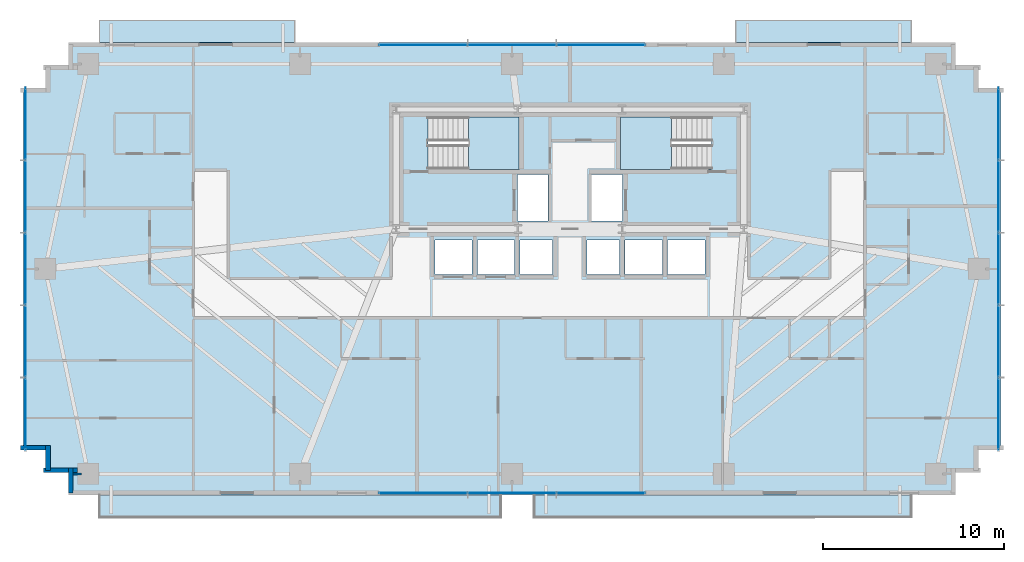
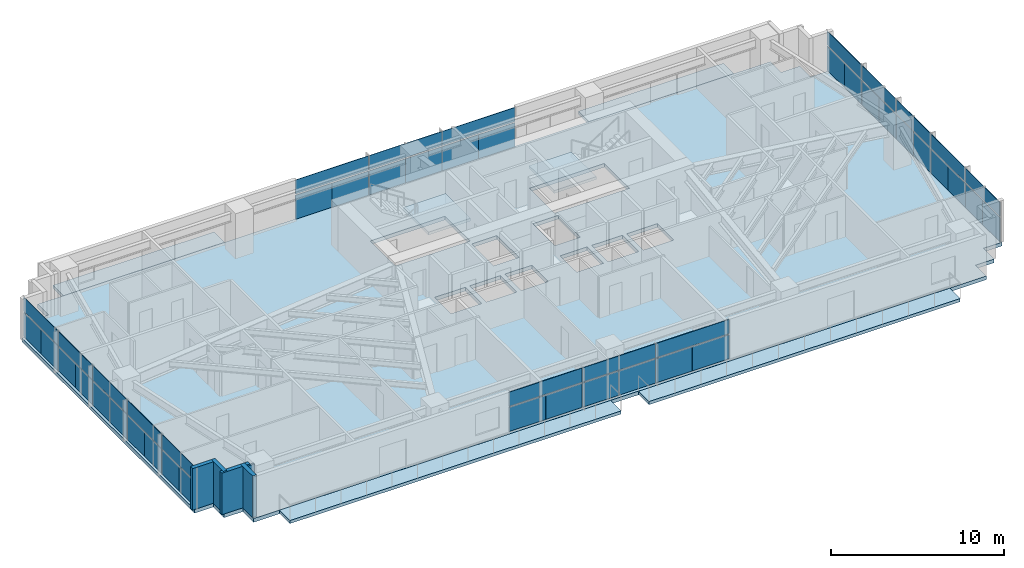
# One storey, part 18 of 25: 48 plates, 7 slabs, 5 walls, 6 elements without a shape of their own.
"""IFC4 building model written with IfcOpenShell, lengths in metres."""

from ifc_helpers import new_model, si_unit, direction, frame, frame_2d, origin, origin_2d, place, context, subcontext, project, spatial, polyline, rectangle, outline, extrude, source, transform, mapped, material, layer, layer_set, type_object, type_shapes, element, aggregate, save


model = new_model("IFC4")

# Units and contexts
model_context = context("Model", 3, precision=1e-05, world=origin(), true_north=direction((0.0, 1.0)))
body_context = subcontext(model_context, "Body", "Model", "MODEL_VIEW")
ifc_project = project(units=[si_unit("LENGTHUNIT", "METRE"), si_unit("AREAUNIT", "SQUARE_METRE"), si_unit("VOLUMEUNIT", "CUBIC_METRE"), si_unit("PLANEANGLEUNIT", "RADIAN"), si_unit("MASSUNIT", "GRAM", prefix="KILO")], contexts=[model_context])

# Site, building, storey
site_placement = place(None, origin())
site = spatial("IfcSite", under=ifc_project, at=site_placement, CompositionType="ELEMENT")
building_placement = place(site_placement, origin())
building = spatial("IfcBuilding", under=site, at=building_placement, Name="Astriad Promenade Condominiums", CompositionType="ELEMENT")
storey_placement = place(building_placement, frame((0.0, 0.0, 61.39990234375)))
storey = spatial("IfcBuildingStorey", under=building, at=storey_placement, Name="L17", CompositionType="ELEMENT", Elevation=61.39990234375)

# Slab
ifc_material_1 = material(Name="Concrete C50/60", Category="concrete")
ifc_layer_1 = layer(ifc_material_1, 0.260009765625)
ifc_layer_set_1 = layer_set([ifc_layer_1], Name="Concrete C50/60")
slab_type_1 = type_object("IfcSlabType", Name="CONCRETE TOWER FLOOR SLAB 260", PredefinedType="FLOOR", material=ifc_layer_set_1)
slab_1_placement = place(storey_placement, frame((0.0, 0.0, -0.260009765625)))
element("IfcSlab", 1, at=slab_1_placement, inside=storey, type_object=slab_type_1, Name="Structural Floor Slab (L17)", PredefinedType="FLOOR", context=body_context, shape_type="SweptSolid", body=[
    extrude(outline(polyline([(8.300048828125, 2.699951171875), (57.300048828125, 2.699951171875), (57.300048828125, 3.949951171875), (58.550048828125, 3.949951171875), (58.550048828125, 5.199951171875), (59.800048828125, 5.199951171875), (59.800048828125, 25.199951171875), (58.550048828125, 25.199951171875), (58.550048828125, 26.449951171875), (57.300048828125, 26.449951171875), (57.300048828125, 27.699951171875), (8.300048828125, 27.699951171875), (8.300048828125, 26.449951171875), (7.050048828125, 26.449951171875), (7.050048828125, 25.199951171875), (5.800048828125, 25.199951171875), (5.800048828125, 5.199951171875), (7.050048828125, 5.199951171875), (7.050048828125, 3.949951171875), (8.300048828125, 3.949951171875), (8.300048828125, 2.699951171875)]), holes=[polyline([(28.175048828125, 20.699951171875), (33.175048828125, 20.699951171875), (33.175048828125, 23.60009765625), (28.175048828125, 23.60009765625), (28.175048828125, 20.699951171875)]), polyline([(38.824951171875, 20.699951171875), (43.824951171875, 20.699951171875), (43.824951171875, 23.60009765625), (38.824951171875, 23.60009765625), (38.824951171875, 20.699951171875)]), polyline([(33.10009765625, 17.85009765625), (34.800048828125, 17.85009765625), (34.800048828125, 20.39990234375), (33.10009765625, 20.39990234375), (33.10009765625, 17.85009765625)]), polyline([(37.199951171875, 17.85009765625), (38.89990234375, 17.85009765625), (38.89990234375, 20.39990234375), (37.199951171875, 20.39990234375), (37.199951171875, 17.85009765625)]), polyline([(28.550048828125, 14.89990234375), (30.60009765625, 14.89990234375), (30.60009765625, 16.800048828125), (28.550048828125, 16.800048828125), (28.550048828125, 14.89990234375)]), polyline([(30.89990234375, 14.89990234375), (32.949951171875, 14.89990234375), (32.949951171875, 16.800048828125), (30.89990234375, 16.800048828125), (30.89990234375, 14.89990234375)]), polyline([(33.25, 14.89990234375), (35.050048828125, 14.89990234375), (35.050048828125, 16.800048828125), (33.25, 16.800048828125), (33.25, 14.89990234375)]), polyline([(36.949951171875, 14.89990234375), (38.75, 14.89990234375), (38.75, 16.800048828125), (36.949951171875, 16.800048828125), (36.949951171875, 14.89990234375)]), polyline([(39.050048828125, 14.89990234375), (41.10009765625, 14.89990234375), (41.10009765625, 16.800048828125), (39.050048828125, 16.800048828125), (39.050048828125, 14.89990234375)]), polyline([(41.39990234375, 14.89990234375), (43.449951171875, 14.89990234375), (43.449951171875, 16.800048828125), (41.39990234375, 16.800048828125), (41.39990234375, 14.89990234375)])]), origin(), (0.0, 0.0, 1.0), 0.260009765625),
])

# Stair, slab
stair_type = type_object("IfcStairType", Name="STR-CORE-1350", PredefinedType="HALF_TURN_STAIR", material=ifc_material_1)
stair_1_placement = place(storey_placement, origin())
stair_1 = element("IfcStair", 2, at=stair_1_placement, inside=storey, type_object=stair_type, Name="L17 Enclosed Core Exit Stair ST-1", PredefinedType="HALF_TURN_STAIR")
ifc_layer_2 = layer(ifc_material_1, 0.219970703125)
ifc_layer_set_2 = layer_set([ifc_layer_2], Name="Concrete C50/60")
slab_type_2 = type_object("IfcSlabType", Name="SLB-LANDING-220", PredefinedType="LANDING", material=ifc_layer_set_2)
slab_2_placement = place(storey_placement, frame((0.0, 0.0, 1.400146484375)))
slab_2 = element("IfcSlab", 3, at=slab_2_placement, type_object=slab_type_2, Name="ST-1 landing 1", PredefinedType="LANDING", context=body_context, shape_type="SweptSolid", body=[
    extrude(outline(polyline([(30.389892578125, 20.699951171875), (33.199951171875, 20.699951171875), (33.199951171875, 23.60009765625), (30.389892578125, 23.60009765625), (30.389892578125, 20.699951171875)])), origin(), (0.0, 0.0, 1.0), 0.199951171875),
])
aggregate(stair_1, [slab_2])

stair_2_placement = place(storey_placement, origin())
stair_2 = element("IfcStair", 4, at=stair_2_placement, inside=storey, type_object=stair_type, Name="L17 Enclosed Core Exit Stair ST-2", PredefinedType="HALF_TURN_STAIR")
slab_3_placement = place(storey_placement, frame((0.0, 0.0, 1.400146484375)))
slab_3 = element("IfcSlab", 5, at=slab_3_placement, type_object=slab_type_2, Name="ST-2 landing 1", PredefinedType="LANDING", context=body_context, shape_type="SweptSolid", body=[
    extrude(outline(polyline([(41.610107421875, 23.60009765625), (38.800048828125, 23.60009765625), (38.800048828125, 20.699951171875), (41.610107421875, 20.699951171875), (41.610107421875, 23.60009765625)])), origin(), (0.0, 0.0, 1.0), 0.199951171875),
])
aggregate(stair_2, [slab_3])

# Slabs
ifc_material_2 = material(Name="Precast concrete C50/60", Category="concrete")
ifc_layer_3 = layer(ifc_material_2, 0.219970703125)
ifc_layer_set_3 = layer_set([ifc_layer_3], Name="Precast concrete C50/60")
slab_type_3 = type_object("IfcSlabType", Name="WHITE PRECAST CONCRETE WAVE BALCONY SLAB 220", PredefinedType="FLOOR", material=ifc_layer_set_3)
slab_4_placement = place(storey_placement, frame((0.0, 0.0, -0.219970703125)))
element("IfcSlab", 6, at=slab_4_placement, inside=storey, type_object=slab_type_3, Name="White Precast Wave Balcony Slab BAL-L17-SW", PredefinedType="FLOOR", context=body_context, shape_type="SweptSolid", body=[
    extrude(outline(polyline([(32.177001953125, 1.47998046875), (10.02197265625, 1.47998046875), (10.02197265625, 2.697998046875), (32.177001953125, 2.697998046875), (32.177001953125, 1.47998046875)])), origin(), (0.0, 0.0, 1.0), 0.219970703125),
])
slab_5_placement = place(storey_placement, frame((0.0, 0.0, -0.219970703125)))
element("IfcSlab", 7, at=slab_5_placement, inside=storey, type_object=slab_type_3, Name="White Precast Wave Balcony Slab BAL-L17-SE", PredefinedType="FLOOR", context=body_context, shape_type="SweptSolid", body=[
    extrude(outline(polyline([(54.85595703125, 1.47998046875), (34.031982421875, 1.47998046875), (34.031982421875, 2.697998046875), (54.85595703125, 2.697998046875), (54.85595703125, 1.47998046875)])), origin(), (0.0, 0.0, 1.0), 0.219970703125),
])
slab_6_placement = place(storey_placement, frame((0.0, 0.0, -0.219970703125)))
element("IfcSlab", 8, at=slab_6_placement, inside=storey, type_object=slab_type_3, Name="White Precast Wave Balcony Slab BAL-L17-NW", PredefinedType="FLOOR", context=body_context, shape_type="SweptSolid", body=[
    extrude(outline(polyline([(10.02197265625, 28.919921875), (20.800048828125, 28.919921875), (20.800048828125, 27.701904296875), (10.02197265625, 27.701904296875), (10.02197265625, 28.919921875)])), origin(), (0.0, 0.0, 1.0), 0.219970703125),
])
slab_7_placement = place(storey_placement, frame((0.0, 0.0, -0.219970703125)))
element("IfcSlab", 9, at=slab_7_placement, inside=storey, type_object=slab_type_3, Name="White Precast Wave Balcony Slab BAL-L17-NE", PredefinedType="FLOOR", context=body_context, shape_type="SweptSolid", body=[
    extrude(outline(polyline([(45.159912109375, 28.919921875), (54.85595703125, 28.919921875), (54.85595703125, 27.701904296875), (45.159912109375, 27.701904296875), (45.159912109375, 28.919921875)])), origin(), (0.0, 0.0, 1.0), 0.219970703125),
])

# Curtain wall, plates
ifc_material_3 = material(Name="Anodised aluminium Black Dark Glass Unitised", Category="aluminium")
curtain_wall_type = type_object("IfcCurtainWallType", Name="CW-B1-DARK", PredefinedType="USERDEFINED", material=ifc_material_3)
curtain_wall_1_placement = place(storey_placement, origin())
curtain_wall_1 = element("IfcCurtainWall", 10, at=curtain_wall_1_placement, inside=storey, type_object=curtain_wall_type, Name="CW-L17-W", ObjectType="UNITISED_CURTAIN_WALL", PredefinedType="USERDEFINED")
ifc_material_4 = material(Name="Dark Tinted Low-E Laminated Glass", Category="glass")
ifc_layer_4 = layer(ifc_material_4, 0.035888671875)
ifc_layer_set_4 = layer_set([ifc_layer_4], Name="Dark Tinted Low-E Laminated Glass")
plate_type = type_object("IfcPlateType", Name="PNL-DARK-GLASS-36", PredefinedType="CURTAIN_PANEL", material=ifc_layer_set_4)
shared_shape_1 = source(origin(), body_context, "Body", "SweptSolid", [
    extrude(rectangle(XDim=1.988037109375, YDim=0.035888671875, at=origin_2d()), origin(), (0.0, 0.0, 1.0), 1.702880859375),
])
plate_1_placement = place(storey_placement, frame((5.929931640625, 6.199951171875, 0.080078125), z_axis=(0.0, 0.0, 1.0), x_axis=(0.0, 1.0, 0.0)))
plate_1 = element("IfcPlate", 11, at=plate_1_placement, type_object=plate_type, Name="CW-L17-W-PNL-00-VL", PredefinedType="CURTAIN_PANEL", context=body_context, shape_type="MappedRepresentation", body=[
    mapped(shared_shape_1, transform((0.0, 0.0, 0.0), scale=1.0)),
])
plate_2_placement = place(storey_placement, frame((5.929931640625, 8.199951171875, 0.080078125), z_axis=(0.0, 0.0, 1.0), x_axis=(0.0, 1.0, 0.0)))
plate_2 = element("IfcPlate", 12, at=plate_2_placement, type_object=plate_type, Name="CW-L17-W-PNL-00-VR", PredefinedType="CURTAIN_PANEL", context=body_context, shape_type="MappedRepresentation", body=[
    mapped(shared_shape_1, transform((0.0, 0.0, 0.0), scale=1.0)),
])
plate_3_placement = place(storey_placement, frame((5.929931640625, 10.199951171875, 0.080078125), z_axis=(0.0, 0.0, 1.0), x_axis=(0.0, 1.0, 0.0)))
plate_3 = element("IfcPlate", 13, at=plate_3_placement, type_object=plate_type, Name="CW-L17-W-PNL-01-VL", PredefinedType="CURTAIN_PANEL", context=body_context, shape_type="MappedRepresentation", body=[
    mapped(shared_shape_1, transform((0.0, 0.0, 0.0), scale=1.0)),
])
plate_4_placement = place(storey_placement, frame((5.929931640625, 12.199951171875, 0.080078125), z_axis=(0.0, 0.0, 1.0), x_axis=(0.0, 1.0, 0.0)))
plate_4 = element("IfcPlate", 14, at=plate_4_placement, type_object=plate_type, Name="CW-L17-W-PNL-01-VR", PredefinedType="CURTAIN_PANEL", context=body_context, shape_type="MappedRepresentation", body=[
    mapped(shared_shape_1, transform((0.0, 0.0, 0.0), scale=1.0)),
])
plate_5_placement = place(storey_placement, frame((5.929931640625, 14.199951171875, 0.080078125), z_axis=(0.0, 0.0, 1.0), x_axis=(0.0, 1.0, 0.0)))
plate_5 = element("IfcPlate", 15, at=plate_5_placement, type_object=plate_type, Name="CW-L17-W-PNL-02-VL", PredefinedType="CURTAIN_PANEL", context=body_context, shape_type="MappedRepresentation", body=[
    mapped(shared_shape_1, transform((0.0, 0.0, 0.0), scale=1.0)),
])
plate_6_placement = place(storey_placement, frame((5.929931640625, 16.199951171875, 0.080078125), z_axis=(0.0, 0.0, 1.0), x_axis=(0.0, 1.0, 0.0)))
plate_6 = element("IfcPlate", 16, at=plate_6_placement, type_object=plate_type, Name="CW-L17-W-PNL-02-VR", PredefinedType="CURTAIN_PANEL", context=body_context, shape_type="MappedRepresentation", body=[
    mapped(shared_shape_1, transform((0.0, 0.0, 0.0), scale=1.0)),
])
plate_7_placement = place(storey_placement, frame((5.929931640625, 18.199951171875, 0.080078125), z_axis=(0.0, 0.0, 1.0), x_axis=(0.0, 1.0, 0.0)))
plate_7 = element("IfcPlate", 17, at=plate_7_placement, type_object=plate_type, Name="CW-L17-W-PNL-03-VL", PredefinedType="CURTAIN_PANEL", context=body_context, shape_type="MappedRepresentation", body=[
    mapped(shared_shape_1, transform((0.0, 0.0, 0.0), scale=1.0)),
])
plate_8_placement = place(storey_placement, frame((5.929931640625, 20.199951171875, 0.080078125), z_axis=(0.0, 0.0, 1.0), x_axis=(0.0, 1.0, 0.0)))
plate_8 = element("IfcPlate", 18, at=plate_8_placement, type_object=plate_type, Name="CW-L17-W-PNL-03-VR", PredefinedType="CURTAIN_PANEL", context=body_context, shape_type="MappedRepresentation", body=[
    mapped(shared_shape_1, transform((0.0, 0.0, 0.0), scale=1.0)),
])
plate_9_placement = place(storey_placement, frame((5.929931640625, 22.199951171875, 0.080078125), z_axis=(0.0, 0.0, 1.0), x_axis=(0.0, 1.0, 0.0)))
plate_9 = element("IfcPlate", 19, at=plate_9_placement, type_object=plate_type, Name="CW-L17-W-PNL-04-VL", PredefinedType="CURTAIN_PANEL", context=body_context, shape_type="MappedRepresentation", body=[
    mapped(shared_shape_1, transform((0.0, 0.0, 0.0), scale=1.0)),
])
plate_10_placement = place(storey_placement, frame((5.929931640625, 24.199951171875, 0.080078125), z_axis=(0.0, 0.0, 1.0), x_axis=(0.0, 1.0, 0.0)))
plate_10 = element("IfcPlate", 20, at=plate_10_placement, type_object=plate_type, Name="CW-L17-W-PNL-04-VR", PredefinedType="CURTAIN_PANEL", context=body_context, shape_type="MappedRepresentation", body=[
    mapped(shared_shape_1, transform((0.0, 0.0, 0.0), scale=1.0)),
])

curtain_wall_2_placement = place(storey_placement, origin())
curtain_wall_2 = element("IfcCurtainWall", 21, at=curtain_wall_2_placement, inside=storey, type_object=curtain_wall_type, Name="CW-L17-E", ObjectType="UNITISED_CURTAIN_WALL", PredefinedType="USERDEFINED")
plate_11_placement = place(storey_placement, frame((59.669921875, 24.199951171875, 0.080078125), z_axis=(0.0, 0.0, 1.0), x_axis=(0.0, -1.0, 0.0)))
plate_11 = element("IfcPlate", 22, at=plate_11_placement, type_object=plate_type, Name="CW-L17-E-PNL-00-VL", PredefinedType="CURTAIN_PANEL", context=body_context, shape_type="MappedRepresentation", body=[
    mapped(shared_shape_1, transform((0.0, 0.0, 0.0), scale=1.0)),
])
plate_12_placement = place(storey_placement, frame((59.669921875, 22.199951171875, 0.080078125), z_axis=(0.0, 0.0, 1.0), x_axis=(0.0, -1.0, 0.0)))
plate_12 = element("IfcPlate", 23, at=plate_12_placement, type_object=plate_type, Name="CW-L17-E-PNL-00-VR", PredefinedType="CURTAIN_PANEL", context=body_context, shape_type="MappedRepresentation", body=[
    mapped(shared_shape_1, transform((0.0, 0.0, 0.0), scale=1.0)),
])
plate_13_placement = place(storey_placement, frame((59.669921875, 20.199951171875, 0.080078125), z_axis=(0.0, 0.0, 1.0), x_axis=(0.0, -1.0, 0.0)))
plate_13 = element("IfcPlate", 24, at=plate_13_placement, type_object=plate_type, Name="CW-L17-E-PNL-01-VL", PredefinedType="CURTAIN_PANEL", context=body_context, shape_type="MappedRepresentation", body=[
    mapped(shared_shape_1, transform((0.0, 0.0, 0.0), scale=1.0)),
])
plate_14_placement = place(storey_placement, frame((59.669921875, 18.199951171875, 0.080078125), z_axis=(0.0, 0.0, 1.0), x_axis=(0.0, -1.0, 0.0)))
plate_14 = element("IfcPlate", 25, at=plate_14_placement, type_object=plate_type, Name="CW-L17-E-PNL-01-VR", PredefinedType="CURTAIN_PANEL", context=body_context, shape_type="MappedRepresentation", body=[
    mapped(shared_shape_1, transform((0.0, 0.0, 0.0), scale=1.0)),
])
plate_15_placement = place(storey_placement, frame((59.669921875, 16.199951171875, 0.080078125), z_axis=(0.0, 0.0, 1.0), x_axis=(0.0, -1.0, 0.0)))
plate_15 = element("IfcPlate", 26, at=plate_15_placement, type_object=plate_type, Name="CW-L17-E-PNL-02-VL", PredefinedType="CURTAIN_PANEL", context=body_context, shape_type="MappedRepresentation", body=[
    mapped(shared_shape_1, transform((0.0, 0.0, 0.0), scale=1.0)),
])
plate_16_placement = place(storey_placement, frame((59.669921875, 14.199951171875, 0.080078125), z_axis=(0.0, 0.0, 1.0), x_axis=(0.0, -1.0, 0.0)))
plate_16 = element("IfcPlate", 27, at=plate_16_placement, type_object=plate_type, Name="CW-L17-E-PNL-02-VR", PredefinedType="CURTAIN_PANEL", context=body_context, shape_type="MappedRepresentation", body=[
    mapped(shared_shape_1, transform((0.0, 0.0, 0.0), scale=1.0)),
])
plate_17_placement = place(storey_placement, frame((59.669921875, 12.199951171875, 0.080078125), z_axis=(0.0, 0.0, 1.0), x_axis=(0.0, -1.0, 0.0)))
plate_17 = element("IfcPlate", 28, at=plate_17_placement, type_object=plate_type, Name="CW-L17-E-PNL-03-VL", PredefinedType="CURTAIN_PANEL", context=body_context, shape_type="MappedRepresentation", body=[
    mapped(shared_shape_1, transform((0.0, 0.0, 0.0), scale=1.0)),
])
plate_18_placement = place(storey_placement, frame((59.669921875, 10.199951171875, 0.080078125), z_axis=(0.0, 0.0, 1.0), x_axis=(0.0, -1.0, 0.0)))
plate_18 = element("IfcPlate", 29, at=plate_18_placement, type_object=plate_type, Name="CW-L17-E-PNL-03-VR", PredefinedType="CURTAIN_PANEL", context=body_context, shape_type="MappedRepresentation", body=[
    mapped(shared_shape_1, transform((0.0, 0.0, 0.0), scale=1.0)),
])
plate_19_placement = place(storey_placement, frame((59.669921875, 8.199951171875, 0.080078125), z_axis=(0.0, 0.0, 1.0), x_axis=(0.0, -1.0, 0.0)))
plate_19 = element("IfcPlate", 30, at=plate_19_placement, type_object=plate_type, Name="CW-L17-E-PNL-04-VL", PredefinedType="CURTAIN_PANEL", context=body_context, shape_type="MappedRepresentation", body=[
    mapped(shared_shape_1, transform((0.0, 0.0, 0.0), scale=1.0)),
])
plate_20_placement = place(storey_placement, frame((59.669921875, 6.199951171875, 0.080078125), z_axis=(0.0, 0.0, 1.0), x_axis=(0.0, -1.0, 0.0)))
plate_20 = element("IfcPlate", 31, at=plate_20_placement, type_object=plate_type, Name="CW-L17-E-PNL-04-VR", PredefinedType="CURTAIN_PANEL", context=body_context, shape_type="MappedRepresentation", body=[
    mapped(shared_shape_1, transform((0.0, 0.0, 0.0), scale=1.0)),
])

# Plate
shared_shape_2 = source(origin(), body_context, "Body", "SweptSolid", [
    extrude(rectangle(XDim=3.988037109375, YDim=0.035888671875, at=origin_2d()), origin(), (0.0, 0.0, 1.0), 0.997314453125),
])
plate_21_placement = place(storey_placement, frame((5.929931640625, 7.199951171875, 1.86279296875), z_axis=(0.0, 0.0, 1.0), x_axis=(0.0, 1.0, 0.0)))
plate_21 = element("IfcPlate", 32, at=plate_21_placement, type_object=plate_type, Name="CW-L17-W-PNL-00-S", PredefinedType="CURTAIN_PANEL", context=body_context, shape_type="MappedRepresentation", body=[
    mapped(shared_shape_2, transform((0.0, 0.0, 0.0), scale=1.0)),
])

plate_22_placement = place(storey_placement, frame((5.929931640625, 11.199951171875, 1.86279296875), z_axis=(0.0, 0.0, 1.0), x_axis=(0.0, 1.0, 0.0)))
plate_22 = element("IfcPlate", 33, at=plate_22_placement, type_object=plate_type, Name="CW-L17-W-PNL-01-S", PredefinedType="CURTAIN_PANEL", context=body_context, shape_type="MappedRepresentation", body=[
    mapped(shared_shape_2, transform((0.0, 0.0, 0.0), scale=1.0)),
])

plate_23_placement = place(storey_placement, frame((5.929931640625, 15.199951171875, 1.86279296875), z_axis=(0.0, 0.0, 1.0), x_axis=(0.0, 1.0, 0.0)))
plate_23 = element("IfcPlate", 34, at=plate_23_placement, type_object=plate_type, Name="CW-L17-W-PNL-02-S", PredefinedType="CURTAIN_PANEL", context=body_context, shape_type="MappedRepresentation", body=[
    mapped(shared_shape_2, transform((0.0, 0.0, 0.0), scale=1.0)),
])

plate_24_placement = place(storey_placement, frame((5.929931640625, 19.199951171875, 1.86279296875), z_axis=(0.0, 0.0, 1.0), x_axis=(0.0, 1.0, 0.0)))
plate_24 = element("IfcPlate", 35, at=plate_24_placement, type_object=plate_type, Name="CW-L17-W-PNL-03-S", PredefinedType="CURTAIN_PANEL", context=body_context, shape_type="MappedRepresentation", body=[
    mapped(shared_shape_2, transform((0.0, 0.0, 0.0), scale=1.0)),
])

plate_25_placement = place(storey_placement, frame((5.929931640625, 23.199951171875, 1.86279296875), z_axis=(0.0, 0.0, 1.0), x_axis=(0.0, 1.0, 0.0)))
plate_25 = element("IfcPlate", 36, at=plate_25_placement, type_object=plate_type, Name="CW-L17-W-PNL-04-S", PredefinedType="CURTAIN_PANEL", context=body_context, shape_type="MappedRepresentation", body=[
    mapped(shared_shape_2, transform((0.0, 0.0, 0.0), scale=1.0)),
])

aggregate(curtain_wall_1, [plate_1, plate_2, plate_21, plate_3, plate_4, plate_22, plate_5, plate_6, plate_23, plate_7, plate_8, plate_24, plate_9, plate_10, plate_25])

plate_26_placement = place(storey_placement, frame((59.669921875, 23.199951171875, 1.86279296875), z_axis=(0.0, 0.0, 1.0), x_axis=(0.0, -1.0, 0.0)))
plate_26 = element("IfcPlate", 37, at=plate_26_placement, type_object=plate_type, Name="CW-L17-E-PNL-00-S", PredefinedType="CURTAIN_PANEL", context=body_context, shape_type="MappedRepresentation", body=[
    mapped(shared_shape_2, transform((0.0, 0.0, 0.0), scale=1.0)),
])

plate_27_placement = place(storey_placement, frame((59.669921875, 19.199951171875, 1.86279296875), z_axis=(0.0, 0.0, 1.0), x_axis=(0.0, -1.0, 0.0)))
plate_27 = element("IfcPlate", 38, at=plate_27_placement, type_object=plate_type, Name="CW-L17-E-PNL-01-S", PredefinedType="CURTAIN_PANEL", context=body_context, shape_type="MappedRepresentation", body=[
    mapped(shared_shape_2, transform((0.0, 0.0, 0.0), scale=1.0)),
])

plate_28_placement = place(storey_placement, frame((59.669921875, 15.199951171875, 1.86279296875), z_axis=(0.0, 0.0, 1.0), x_axis=(0.0, -1.0, 0.0)))
plate_28 = element("IfcPlate", 39, at=plate_28_placement, type_object=plate_type, Name="CW-L17-E-PNL-02-S", PredefinedType="CURTAIN_PANEL", context=body_context, shape_type="MappedRepresentation", body=[
    mapped(shared_shape_2, transform((0.0, 0.0, 0.0), scale=1.0)),
])

plate_29_placement = place(storey_placement, frame((59.669921875, 11.199951171875, 1.86279296875), z_axis=(0.0, 0.0, 1.0), x_axis=(0.0, -1.0, 0.0)))
plate_29 = element("IfcPlate", 40, at=plate_29_placement, type_object=plate_type, Name="CW-L17-E-PNL-03-S", PredefinedType="CURTAIN_PANEL", context=body_context, shape_type="MappedRepresentation", body=[
    mapped(shared_shape_2, transform((0.0, 0.0, 0.0), scale=1.0)),
])

plate_30_placement = place(storey_placement, frame((59.669921875, 7.199951171875, 1.86279296875), z_axis=(0.0, 0.0, 1.0), x_axis=(0.0, -1.0, 0.0)))
plate_30 = element("IfcPlate", 41, at=plate_30_placement, type_object=plate_type, Name="CW-L17-E-PNL-04-S", PredefinedType="CURTAIN_PANEL", context=body_context, shape_type="MappedRepresentation", body=[
    mapped(shared_shape_2, transform((0.0, 0.0, 0.0), scale=1.0)),
])

aggregate(curtain_wall_2, [plate_11, plate_12, plate_26, plate_13, plate_14, plate_27, plate_15, plate_16, plate_28, plate_17, plate_18, plate_29, plate_19, plate_20, plate_30])

# Curtain wall, plates
curtain_wall_3_placement = place(storey_placement, origin())
curtain_wall_3 = element("IfcCurtainWall", 42, at=curtain_wall_3_placement, inside=storey, type_object=curtain_wall_type, Name="CW-L17-N", ObjectType="UNITISED_CURTAIN_WALL", PredefinedType="USERDEFINED")
shared_shape_3 = source(origin(), body_context, "Body", "SweptSolid", [
    extrude(rectangle(XDim=2.43798828125, YDim=0.035888671875, at=origin_2d()), origin(), (0.0, 0.0, 1.0), 1.702880859375),
])
plate_31_placement = place(storey_placement, frame((26.675048828125, 27.570068359375, 0.080078125), z_axis=(0.0, 0.0, 1.0), x_axis=(1.0, 0.0, 0.0)))
plate_31 = element("IfcPlate", 43, at=plate_31_placement, type_object=plate_type, Name="CW-L17-N-PNL-00-VL", PredefinedType="CURTAIN_PANEL", context=body_context, shape_type="MappedRepresentation", body=[
    mapped(shared_shape_3, transform((0.0, 0.0, 0.0), scale=1.0)),
])
plate_32_placement = place(storey_placement, frame((29.125, 27.570068359375, 0.080078125), z_axis=(0.0, 0.0, 1.0), x_axis=(1.0, 0.0, 0.0)))
plate_32 = element("IfcPlate", 44, at=plate_32_placement, type_object=plate_type, Name="CW-L17-N-PNL-00-VR", PredefinedType="CURTAIN_PANEL", context=body_context, shape_type="MappedRepresentation", body=[
    mapped(shared_shape_3, transform((0.0, 0.0, 0.0), scale=1.0)),
])
plate_33_placement = place(storey_placement, frame((31.574951171875, 27.570068359375, 0.080078125), z_axis=(0.0, 0.0, 1.0), x_axis=(1.0, 0.0, 0.0)))
plate_33 = element("IfcPlate", 45, at=plate_33_placement, type_object=plate_type, Name="CW-L17-N-PNL-01-VL", PredefinedType="CURTAIN_PANEL", context=body_context, shape_type="MappedRepresentation", body=[
    mapped(shared_shape_3, transform((0.0, 0.0, 0.0), scale=1.0)),
])
plate_34_placement = place(storey_placement, frame((34.02490234375, 27.570068359375, 0.080078125), z_axis=(0.0, 0.0, 1.0), x_axis=(1.0, 0.0, 0.0)))
plate_34 = element("IfcPlate", 46, at=plate_34_placement, type_object=plate_type, Name="CW-L17-N-PNL-01-VR", PredefinedType="CURTAIN_PANEL", context=body_context, shape_type="MappedRepresentation", body=[
    mapped(shared_shape_3, transform((0.0, 0.0, 0.0), scale=1.0)),
])
plate_35_placement = place(storey_placement, frame((36.47509765625, 27.570068359375, 0.080078125), z_axis=(0.0, 0.0, 1.0), x_axis=(1.0, 0.0, 0.0)))
plate_35 = element("IfcPlate", 47, at=plate_35_placement, type_object=plate_type, Name="CW-L17-N-PNL-02-VL", PredefinedType="CURTAIN_PANEL", context=body_context, shape_type="MappedRepresentation", body=[
    mapped(shared_shape_3, transform((0.0, 0.0, 0.0), scale=1.0)),
])
plate_36_placement = place(storey_placement, frame((38.925048828125, 27.570068359375, 0.080078125), z_axis=(0.0, 0.0, 1.0), x_axis=(1.0, 0.0, 0.0)))
plate_36 = element("IfcPlate", 48, at=plate_36_placement, type_object=plate_type, Name="CW-L17-N-PNL-02-VR", PredefinedType="CURTAIN_PANEL", context=body_context, shape_type="MappedRepresentation", body=[
    mapped(shared_shape_3, transform((0.0, 0.0, 0.0), scale=1.0)),
])

curtain_wall_4_placement = place(storey_placement, origin())
curtain_wall_4 = element("IfcCurtainWall", 49, at=curtain_wall_4_placement, inside=storey, type_object=curtain_wall_type, Name="CW-L17-S", ObjectType="UNITISED_CURTAIN_WALL", PredefinedType="USERDEFINED")
plate_37_placement = place(storey_placement, frame((38.925048828125, 2.830078125, 0.080078125), z_axis=(0.0, 0.0, 1.0), x_axis=(-1.0, 0.0, 0.0)))
plate_37 = element("IfcPlate", 50, at=plate_37_placement, type_object=plate_type, Name="CW-L17-S-PNL-00-VL", PredefinedType="CURTAIN_PANEL", context=body_context, shape_type="MappedRepresentation", body=[
    mapped(shared_shape_3, transform((0.0, 0.0, 0.0), scale=1.0)),
])
plate_38_placement = place(storey_placement, frame((36.47509765625, 2.830078125, 0.080078125), z_axis=(0.0, 0.0, 1.0), x_axis=(-1.0, 0.0, 0.0)))
plate_38 = element("IfcPlate", 51, at=plate_38_placement, type_object=plate_type, Name="CW-L17-S-PNL-00-VR", PredefinedType="CURTAIN_PANEL", context=body_context, shape_type="MappedRepresentation", body=[
    mapped(shared_shape_3, transform((0.0, 0.0, 0.0), scale=1.0)),
])
plate_39_placement = place(storey_placement, frame((34.02490234375, 2.830078125, 0.080078125), z_axis=(0.0, 0.0, 1.0), x_axis=(-1.0, 0.0, 0.0)))
plate_39 = element("IfcPlate", 52, at=plate_39_placement, type_object=plate_type, Name="CW-L17-S-PNL-01-VL", PredefinedType="CURTAIN_PANEL", context=body_context, shape_type="MappedRepresentation", body=[
    mapped(shared_shape_3, transform((0.0, 0.0, 0.0), scale=1.0)),
])
plate_40_placement = place(storey_placement, frame((31.574951171875, 2.830078125, 0.080078125), z_axis=(0.0, 0.0, 1.0), x_axis=(-1.0, 0.0, 0.0)))
plate_40 = element("IfcPlate", 53, at=plate_40_placement, type_object=plate_type, Name="CW-L17-S-PNL-01-VR", PredefinedType="CURTAIN_PANEL", context=body_context, shape_type="MappedRepresentation", body=[
    mapped(shared_shape_3, transform((0.0, 0.0, 0.0), scale=1.0)),
])
plate_41_placement = place(storey_placement, frame((29.125, 2.830078125, 0.080078125), z_axis=(0.0, 0.0, 1.0), x_axis=(-1.0, 0.0, 0.0)))
plate_41 = element("IfcPlate", 54, at=plate_41_placement, type_object=plate_type, Name="CW-L17-S-PNL-02-VL", PredefinedType="CURTAIN_PANEL", context=body_context, shape_type="MappedRepresentation", body=[
    mapped(shared_shape_3, transform((0.0, 0.0, 0.0), scale=1.0)),
])
plate_42_placement = place(storey_placement, frame((26.675048828125, 2.830078125, 0.080078125), z_axis=(0.0, 0.0, 1.0), x_axis=(-1.0, 0.0, 0.0)))
plate_42 = element("IfcPlate", 55, at=plate_42_placement, type_object=plate_type, Name="CW-L17-S-PNL-02-VR", PredefinedType="CURTAIN_PANEL", context=body_context, shape_type="MappedRepresentation", body=[
    mapped(shared_shape_3, transform((0.0, 0.0, 0.0), scale=1.0)),
])

# Plate
shared_shape_4 = source(origin(), body_context, "Body", "SweptSolid", [
    extrude(rectangle(XDim=4.887939453125, YDim=0.035888671875, at=origin_2d()), origin(), (0.0, 0.0, 1.0), 0.997314453125),
])
type_shapes(plate_type, [shared_shape_1, shared_shape_2, shared_shape_3, shared_shape_4])
plate_43_placement = place(storey_placement, frame((27.89990234375, 27.570068359375, 1.86279296875), z_axis=(0.0, 0.0, 1.0), x_axis=(1.0, 0.0, 0.0)))
plate_43 = element("IfcPlate", 56, at=plate_43_placement, type_object=plate_type, Name="CW-L17-N-PNL-00-S", PredefinedType="CURTAIN_PANEL", context=body_context, shape_type="MappedRepresentation", body=[
    mapped(shared_shape_4, transform((0.0, 0.0, 0.0), scale=1.0)),
])

plate_44_placement = place(storey_placement, frame((32.800048828125, 27.570068359375, 1.86279296875), z_axis=(0.0, 0.0, 1.0), x_axis=(1.0, 0.0, 0.0)))
plate_44 = element("IfcPlate", 57, at=plate_44_placement, type_object=plate_type, Name="CW-L17-N-PNL-01-S", PredefinedType="CURTAIN_PANEL", context=body_context, shape_type="MappedRepresentation", body=[
    mapped(shared_shape_4, transform((0.0, 0.0, 0.0), scale=1.0)),
])

plate_45_placement = place(storey_placement, frame((37.699951171875, 27.570068359375, 1.86279296875), z_axis=(0.0, 0.0, 1.0), x_axis=(1.0, 0.0, 0.0)))
plate_45 = element("IfcPlate", 58, at=plate_45_placement, type_object=plate_type, Name="CW-L17-N-PNL-02-S", PredefinedType="CURTAIN_PANEL", context=body_context, shape_type="MappedRepresentation", body=[
    mapped(shared_shape_4, transform((0.0, 0.0, 0.0), scale=1.0)),
])

aggregate(curtain_wall_3, [plate_31, plate_32, plate_43, plate_33, plate_34, plate_44, plate_35, plate_36, plate_45])

plate_46_placement = place(storey_placement, frame((37.699951171875, 2.830078125, 1.86279296875), z_axis=(0.0, 0.0, 1.0), x_axis=(-1.0, 0.0, 0.0)))
plate_46 = element("IfcPlate", 59, at=plate_46_placement, type_object=plate_type, Name="CW-L17-S-PNL-00-S", PredefinedType="CURTAIN_PANEL", context=body_context, shape_type="MappedRepresentation", body=[
    mapped(shared_shape_4, transform((0.0, 0.0, 0.0), scale=1.0)),
])

plate_47_placement = place(storey_placement, frame((32.800048828125, 2.830078125, 1.86279296875), z_axis=(0.0, 0.0, 1.0), x_axis=(-1.0, 0.0, 0.0)))
plate_47 = element("IfcPlate", 60, at=plate_47_placement, type_object=plate_type, Name="CW-L17-S-PNL-01-S", PredefinedType="CURTAIN_PANEL", context=body_context, shape_type="MappedRepresentation", body=[
    mapped(shared_shape_4, transform((0.0, 0.0, 0.0), scale=1.0)),
])

plate_48_placement = place(storey_placement, frame((27.89990234375, 2.830078125, 1.86279296875), z_axis=(0.0, 0.0, 1.0), x_axis=(-1.0, 0.0, 0.0)))
plate_48 = element("IfcPlate", 61, at=plate_48_placement, type_object=plate_type, Name="CW-L17-S-PNL-02-S", PredefinedType="CURTAIN_PANEL", context=body_context, shape_type="MappedRepresentation", body=[
    mapped(shared_shape_4, transform((0.0, 0.0, 0.0), scale=1.0)),
])

aggregate(curtain_wall_4, [plate_37, plate_38, plate_46, plate_39, plate_40, plate_47, plate_41, plate_42, plate_48])

# Walls
ifc_layer_5 = layer(ifc_material_2, 0.260009765625)
ifc_layer_set_5 = layer_set([ifc_layer_5], Name="Precast concrete C50/60")
wall_type_1 = type_object("IfcWallType", Name="WALL-EXT-TWR-260", PredefinedType="STANDARD", material=ifc_layer_set_5)
wall_1_placement = place(storey_placement, frame((8.798095703125, 4.080078125, 0.0), z_axis=(0.0, 0.0, 1.0), x_axis=(-1.0, 0.0, 0.0)))
element("IfcWall", 62, at=wall_1_placement, inside=storey, type_object=wall_type_1, Name="W-SER-L17-00", PredefinedType="STANDARD", context=body_context, shape_type="SweptSolid", body=[
    extrude(rectangle(XDim=1.878173828125, YDim=0.260009765625, at=frame_2d((0.93896484375, 0.0))), origin(), (0.0, 0.0, 1.0), 2.940185546875),
])
for number, where, z_axis, x_axis, name in (
    (63, (7.179931640625, 4.06494140625, 0.0), (0.0, 0.0, 1.0), (0.0, 1.0, 0.0), "W-SER-L17-01"),
    (64, (7.06494140625, 5.330078125, 0.0), (0.0, 0.0, 1.0), (-1.0, 0.0, 0.0), "W-SER-L17-02"),
    (65, (8.429931640625, 2.81494140625, 0.0), (0.0, 0.0, 1.0), (0.0, 1.0, 0.0), "W-SER-L17-19"),
):
    element("IfcWall", number, at=place(storey_placement, frame(where, z_axis=z_axis, x_axis=x_axis)), inside=storey, type_object=wall_type_1, Name=name, PredefinedType="STANDARD", context=body_context, shape_type="SweptSolid", body=[
        extrude(rectangle(XDim=1.39501953125, YDim=0.260009765625, at=frame_2d((0.697509765625, 0.0))), origin(), (0.0, 0.0, 1.0), 2.940185546875),
    ])
ifc_material_5 = material(Name="Acoustic Metal-Stud Gypsum Partition")
ifc_layer_6 = layer(ifc_material_5, 0.1201171875)
ifc_layer_set_6 = layer_set([ifc_layer_6], Name="Acoustic Metal-Stud Gypsum Partition")
wall_type_2 = type_object("IfcWallType", Name="WALL-PART-120", PredefinedType="PARTITIONING", material=ifc_layer_set_6)
wall_2_placement = place(storey_placement, frame((9.02001953125, 3.8798828125, 0.0), z_axis=(0.0, 0.0, 1.0), x_axis=(-1.0, 0.0, 0.0)))
element("IfcWall", 66, at=wall_2_placement, inside=storey, type_object=wall_type_2, Name="PT-PIL-L17-PC01-8", PredefinedType="PARTITIONING", context=body_context, shape_type="SweptSolid", body=[
    extrude(rectangle(XDim=0.4580078125, YDim=0.1201171875, at=frame_2d((0.22900390625, 0.0))), origin(), (0.0, 0.0, 1.0), 2.940185546875),
])

save(model, "model.ifc")
